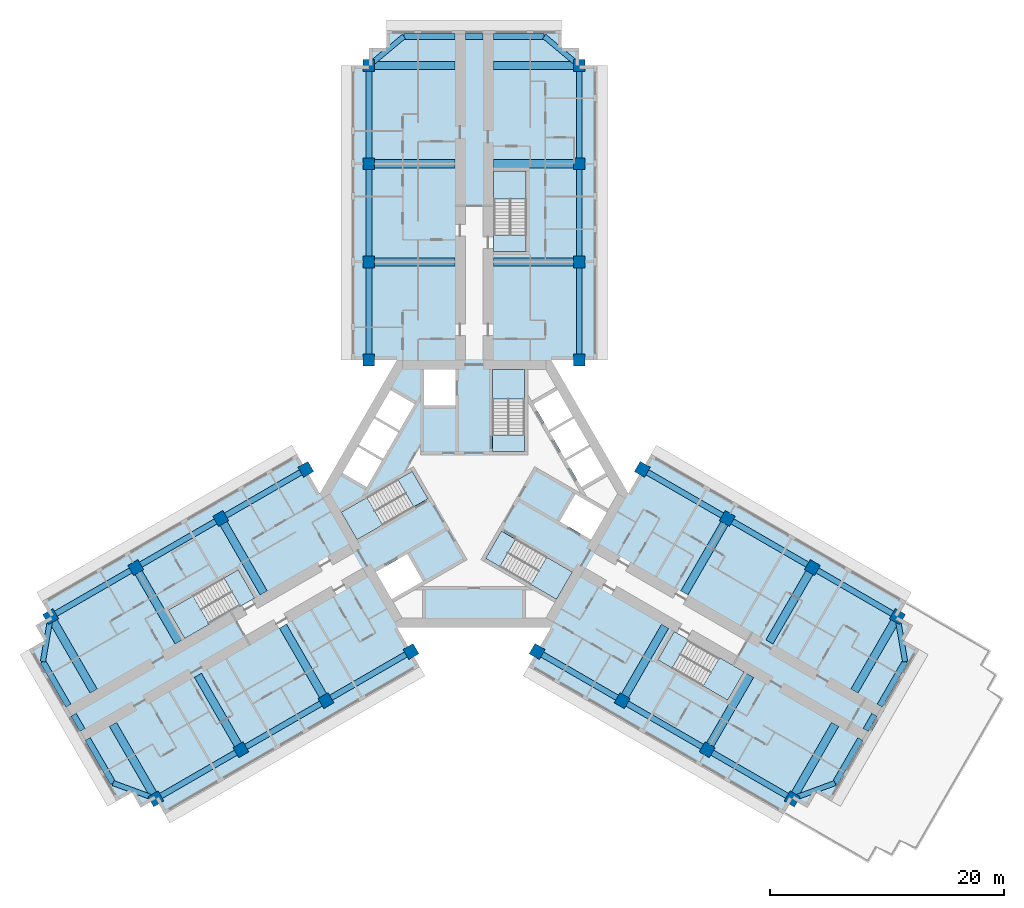
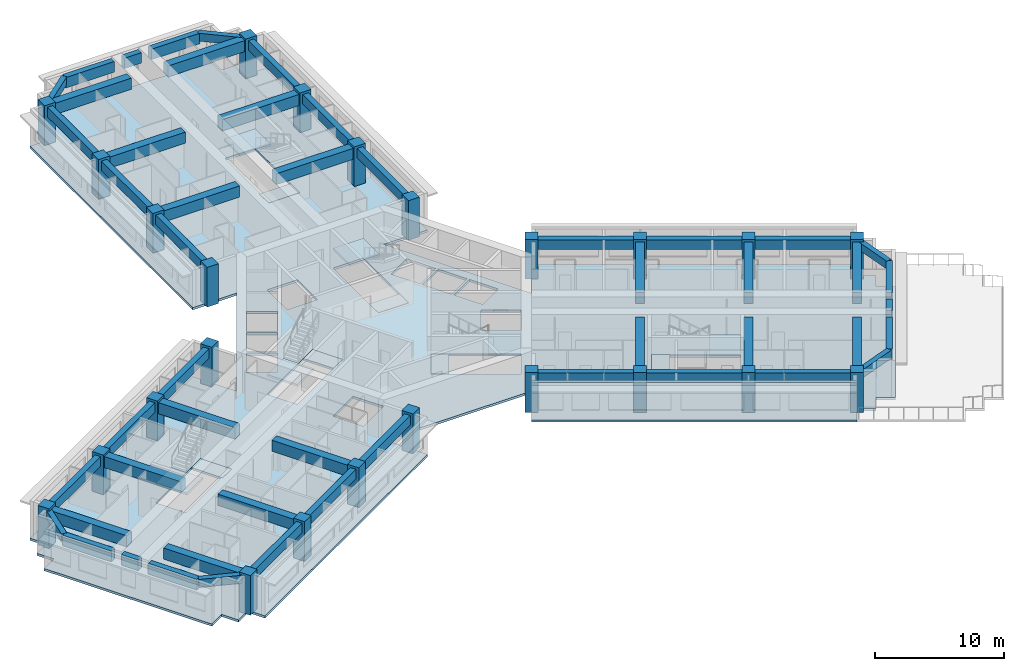
# One storey, part 1 of 14: 51 beams, 24 columns, 13 slabs, 6 elements without a shape of their own.
"""IFC4 building model written with IfcOpenShell, lengths in metres."""

import ifcopenshell
import ifcopenshell.guid

model = None  # the IFC model being written
_history = None  # IfcOwnerHistory: only IFC2X3 demands one
_inside = {}  # id of a spatial element -> (the spatial element, [elements in it])
_under = {}  # id of a project, library or spatial element -> (it, [spatial elements below it])
_declared = {}  # id of a project -> (the project, [libraries it declares])
_typed = {}  # id of a type object -> (the type object, [elements of that type])
_made_of = {}  # id of a material, layer set ... -> (it, [elements and type objects made of it])


def new_model(schema):
    """Start an empty IFC model of exactly this schema.

    Asked for "IFC4X3", IfcOpenShell would pick the latest addendum, in which some entities
    have other attributes; the version numbers below select the first issue.
    IFC2X3 requires an IfcOwnerHistory on every rooted entity: one is made here for all.
    """
    global model, _history
    if schema == "IFC4X3":
        model = ifcopenshell.file(schema_version=(4, 3, 0, 0))
    else:
        model = ifcopenshell.file(schema=schema)
    _inside.clear()
    _under.clear()
    _declared.clear()
    _typed.clear()
    _made_of.clear()
    _history = None
    if model.schema == "IFC2X3":
        org = make("IfcOrganization", Name="unknown")
        user = make(
            "IfcPersonAndOrganization",
            ThePerson=make("IfcPerson", FamilyName="unknown"),
            TheOrganization=org,
        )
        app = make(
            "IfcApplication",
            ApplicationDeveloper=org,
            Version="unknown",
            ApplicationFullName="unknown",
            ApplicationIdentifier="unknown",
        )
        _history = make(
            "IfcOwnerHistory",
            OwningUser=user,
            OwningApplication=app,
            ChangeAction="ADDED",
            CreationDate=0,
        )
    return model


def make(cls, **values):
    """One entity of the class cls with the attributes given. An attribute that is None is left unset."""
    return model.create_entity(
        cls, **{name: value for name, value in values.items() if value is not None}
    )


def rooted(cls, **values):
    """An entity with a GlobalId (a new one), such as an element, a storey or a relation."""
    return make(cls, GlobalId=ifcopenshell.guid.new(), OwnerHistory=_history, **values)


def si_unit(unit_type, name, prefix=None):
    """IfcSIUnit, for example si_unit("LENGTHUNIT", "METRE", prefix="MILLI")."""
    return make("IfcSIUnit", UnitType=unit_type, Prefix=prefix, Name=name)


def assignment(units):
    """IfcUnitAssignment: the units of a project."""
    return None if units is None else make("IfcUnitAssignment", Units=units)


def point(xyz):
    """IfcCartesianPoint."""
    return None if xyz is None else make("IfcCartesianPoint", Coordinates=xyz)


def direction(xyz):
    """IfcDirection."""
    return None if xyz is None else make("IfcDirection", DirectionRatios=xyz)


def frame(location, z_axis=None, x_axis=None):
    """IfcAxis2Placement3D, a coordinate frame: its origin and axes. An axis left out is left unset."""
    return make(
        "IfcAxis2Placement3D",
        Location=point(location),
        Axis=direction(z_axis),
        RefDirection=direction(x_axis),
    )


def frame_2d(location, x_axis=None):
    """IfcAxis2Placement2D, a coordinate frame in the plane: its origin and x axis."""
    return make(
        "IfcAxis2Placement2D", Location=point(location), RefDirection=direction(x_axis)
    )


def origin():
    """The frame at (0, 0, 0) with its axes left unset."""
    return frame((0.0, 0.0, 0.0))


def origin_2d():
    """The frame at (0, 0) in the plane with its x axis left unset."""
    return frame_2d((0.0, 0.0))


def place(relative_to, where):
    """IfcLocalPlacement: puts the frame where relative to a parent placement (None: the world)."""
    return make(
        "IfcLocalPlacement", PlacementRelTo=relative_to, RelativePlacement=where
    )


def context(
    kind, dimensions, precision=None, world=None, true_north=None, identifier=None
):
    """IfcGeometricRepresentationContext, for example the 3D "Model" context."""
    return make(
        "IfcGeometricRepresentationContext",
        ContextIdentifier=identifier,
        ContextType=kind,
        CoordinateSpaceDimension=dimensions,
        Precision=precision,
        WorldCoordinateSystem=world,
        TrueNorth=true_north,
    )


def subcontext(parent, identifier, kind, view, scale=None):
    """IfcGeometricRepresentationSubContext, for example "Body" below "Model"."""
    return make(
        "IfcGeometricRepresentationSubContext",
        ContextIdentifier=identifier,
        ContextType=kind,
        ParentContext=parent,
        TargetScale=scale,
        TargetView=view,
    )


def project(units=None, contexts=None):
    """IfcProject with its units and contexts."""
    return rooted(
        "IfcProject",
        Name="project",
        RepresentationContexts=contexts,
        UnitsInContext=assignment(units),
    )


def spatial(cls, under=None, at=None, **own):
    """A site, building, storey or space (cls), placed at a placement, below another one or the project."""
    s = rooted(cls, ObjectPlacement=at, **own)
    if under is not None:
        _under.setdefault(under.id(), (under, []))[1].append(s)
    return s


def polyline(points):
    """IfcPolyline through the points."""
    return make("IfcPolyline", Points=[point(p) for p in points])


def profile(cls, at=None, kind="AREA", **sizes):
    """A parametric profile (cls). Its sizes go by their IFC names, for example OverallWidth=200.0."""
    return make(cls, ProfileType=kind, Position=at, **sizes)


def rectangle(**sizes):
    """IfcRectangleProfileDef."""
    return profile("IfcRectangleProfileDef", **sizes)


def outline(outer, holes=None, kind="AREA"):
    """IfcArbitraryClosedProfileDef: a profile drawn as a closed curve; with holes, ...WithVoids."""
    if holes is None:
        return make("IfcArbitraryClosedProfileDef", ProfileType=kind, OuterCurve=outer)
    return make(
        "IfcArbitraryProfileDefWithVoids",
        ProfileType=kind,
        OuterCurve=outer,
        InnerCurves=holes,
    )


def extrude(swept, where, along, depth):
    """IfcExtrudedAreaSolid: the profile swept, set in the frame where, extruded along a direction by depth."""
    return make(
        "IfcExtrudedAreaSolid",
        SweptArea=swept,
        Position=where,
        ExtrudedDirection=direction(along),
        Depth=depth,
    )


def shape(context_of_items, identifier, shape_type, items):
    """IfcShapeRepresentation: the items that make up one representation, for example the "Body"."""
    return make(
        "IfcShapeRepresentation",
        ContextOfItems=context_of_items,
        RepresentationIdentifier=identifier,
        RepresentationType=shape_type,
        Items=items,
    )


def material(Name=None, Category=None):
    """IfcMaterial."""
    return make("IfcMaterial", Name=Name, Category=Category)


def layer(
    of_material, thickness, ventilated=None, Name=None, Category=None, Priority=None
):
    """IfcMaterialLayer: one layer of a wall or slab, of a material (None: an air gap)."""
    return make(
        "IfcMaterialLayer",
        Material=of_material,
        LayerThickness=thickness,
        IsVentilated=ventilated,
        Name=Name,
        Category=Category,
        Priority=Priority,
    )


def layer_set(layers, Name=None):
    """IfcMaterialLayerSet."""
    return make("IfcMaterialLayerSet", MaterialLayers=layers, LayerSetName=Name)


def material_profile(
    of_material, cross_section, Name=None, Category=None, Priority=None
):
    """IfcMaterialProfile: a cross section and its material."""
    return make(
        "IfcMaterialProfile",
        Name=Name,
        Material=of_material,
        Profile=cross_section,
        Priority=Priority,
        Category=Category,
    )


def profile_set(profiles, Name=None, composite=None):
    """IfcMaterialProfileSet."""
    return make(
        "IfcMaterialProfileSet",
        Name=Name,
        MaterialProfiles=profiles,
        CompositeProfile=composite,
    )


def made_of(thing, what):
    """Note that an element or type object is made of a material, layer set ...; save() writes the relation."""
    if what is not None:
        _made_of.setdefault(what.id(), (what, []))[1].append(thing)
    return thing


def type_object(cls, material=None, **own):
    """A type object (cls), such as IfcWallType, which elements share."""
    return made_of(rooted(cls, **own), material)


def element(
    cls,
    number,
    at=None,
    inside=None,
    cuts=None,
    type_object=None,
    material=None,
    context=None,
    identifier="Body",
    shape_type=None,
    held_by="IfcProductDefinitionShape",
    body=None,
    shapes=None,
    **own,
):
    """One element of the class cls, such as IfcWall. Its Tag is "e" and its number.

    at: its placement. inside: the storey or other place that contains it. cuts: it is an
    opening in that element (IfcRelVoidsElement). A single representation is given by context,
    identifier, shape_type and body (its items); several are given by shapes. held_by: the class
    of the entity that holds the representations. save() writes the other relations.
    """
    e = rooted(cls, Tag="e%d" % number, ObjectPlacement=at, **own)
    if body is not None:
        shapes = [shape(context, identifier, shape_type, body)]
    if shapes is not None:
        e.Representation = make(held_by, Representations=shapes)
    if inside is not None:
        _inside.setdefault(inside.id(), (inside, []))[1].append(e)
    if cuts is not None:
        rooted(
            "IfcRelVoidsElement", RelatingBuildingElement=cuts, RelatedOpeningElement=e
        )
    if type_object is not None:
        _typed.setdefault(type_object.id(), (type_object, []))[1].append(e)
    return made_of(e, material)


def aggregate(whole, parts):
    """IfcRelAggregates: a whole, such as a stair, and the parts it consists of."""
    return rooted("IfcRelAggregates", RelatingObject=whole, RelatedObjects=parts)


def save(model, path):
    """Write the relations noted so far, then the file.

    IfcRelAggregates (storeys below a building ...), IfcRelContainedInSpatialStructure (elements
    in a storey), IfcRelDefinesByType, IfcRelAssociatesMaterial and IfcRelDeclares: one each for
    every whole, place, type object, material and project.
    """
    for whole, parts in _under.values():
        aggregate(whole, parts)
    for where, things in _inside.values():
        rooted(
            "IfcRelContainedInSpatialStructure",
            RelatedElements=things,
            RelatingStructure=where,
        )
    for kind, things in _typed.values():
        rooted("IfcRelDefinesByType", RelatedObjects=things, RelatingType=kind)
    for what, things in _made_of.values():
        rooted("IfcRelAssociatesMaterial", RelatedObjects=things, RelatingMaterial=what)
    for by, libraries in _declared.values():
        rooted("IfcRelDeclares", RelatingContext=by, RelatedDefinitions=libraries)
    model.write(path)


model = new_model("IFC4")

# Units and contexts
model_context = context("Model", 3, precision=1e-05, world=origin(), true_north=direction((0.0, 1.0)))
body_context = subcontext(model_context, "Body", "Model", "MODEL_VIEW")
ifc_project = project(units=[si_unit("LENGTHUNIT", "METRE"), si_unit("AREAUNIT", "SQUARE_METRE"), si_unit("VOLUMEUNIT", "CUBIC_METRE"), si_unit("PLANEANGLEUNIT", "RADIAN"), si_unit("MASSUNIT", "GRAM", prefix="KILO")], contexts=[model_context])

# Site, building, storey
site_placement = place(None, origin())
site = spatial("IfcSite", under=ifc_project, at=site_placement, CompositionType="ELEMENT")
building_placement = place(site_placement, origin())
building = spatial("IfcBuilding", under=site, at=building_placement, Name="Impinga Residences", CompositionType="ELEMENT")
storey_placement = place(building_placement, frame((0.0, 0.0, 158.5)))
storey = spatial("IfcBuildingStorey", under=building, at=storey_placement, Name="L39", CompositionType="ELEMENT", Elevation=158.5)

# Columns
ifc_material_1 = material(Name="Concrete C60/75", Category="concrete")
ifc_material_profile_1 = material_profile(ifc_material_1, rectangle(XDim=1.0, YDim=1.0, at=origin_2d()), Name="RC 1000x1000")
ifc_profile_set_1 = profile_set([ifc_material_profile_1], Name="Concrete C60/75")
column_type = type_object("IfcColumnType", Name="C3 1000x1000 column", PredefinedType="COLUMN", material=ifc_profile_set_1)
for number, where, z_axis, x_axis, name in (
    (1, (-9.0, 11.431640625, 0.0), (0.0, 0.0, 1.0), (1.0, 0.0, 0.0), "Column C3 N1/NA L39"),
    (2, (9.0, 11.431640625, 0.0), (0.0, 0.0, 1.0), (1.0, 0.0, 0.0), "Column C3 N1/NF L39"),
    (3, (-9.0, 19.83154296875, 0.0), (0.0, 0.0, 1.0), (1.0, 0.0, 0.0), "Column C3 N2/NA L39"),
    (4, (9.0, 19.83154296875, 0.0), (0.0, 0.0, 1.0), (1.0, 0.0, 0.0), "Column C3 N2/NF L39"),
    (5, (-9.0, 28.2314453125, 0.0), (0.0, 0.0, 1.0), (1.0, 0.0, 0.0), "Column C3 N3/NA L39"),
    (6, (9.0, 28.2314453125, 0.0), (0.0, 0.0, 1.0), (1.0, 0.0, 0.0), "Column C3 N3/NF L39"),
    (7, (-9.0, 36.631591796875, 0.0), (0.0, 0.0, 1.0), (1.0, 0.0, 0.0), "Column C3 N4/NA L39"),
    (8, (9.0, 36.631591796875, 0.0), (0.0, 0.0, 1.0), (1.0, 0.0, 0.0), "Column C3 N4/NF L39"),
    (9, (-5.39990234375, -13.510009765625, 0.0), (0.0, 0.0, 1.0), (-0.5, 0.866025403784, 0.0), "Column C3 W1/WA L39"),
    (10, (-14.39990234375, 2.078369140625, 0.0), (0.0, 0.0, 1.0), (-0.5, 0.866025403784, 0.0), "Column C3 W1/WF L39"),
    (11, (-12.674560546875, -17.7099609375, 0.0), (0.0, 0.0, 1.0), (-0.5, 0.866025403784, 0.0), "Column C3 W2/WA L39"),
    (12, (-21.674560546875, -2.12158203125, 0.0), (0.0, 0.0, 1.0), (-0.5, 0.866025403784, 0.0), "Column C3 W2/WF L39"),
    (13, (-19.94921875, -21.909912109375, 0.0), (0.0, 0.0, 1.0), (-0.5, 0.866025403784, 0.0), "Column C3 W3/WA L39"),
    (14, (-28.94921875, -6.321533203125, 0.0), (0.0, 0.0, 1.0), (-0.5, 0.866025403784, 0.0), "Column C3 W3/WF L39"),
    (15, (-27.223876953125, -26.110107421875, 0.0), (0.0, 0.0, 1.0), (-0.5, 0.866025403784, 0.0), "Column C3 W4/WA L39"),
    (16, (-36.223876953125, -10.521484375, 0.0), (0.0, 0.0, 1.0), (-0.5, 0.866025403784, 0.0), "Column C3 W4/WF L39"),
    (17, (14.39990234375, 2.078369140625, 0.0), (0.0, 0.0, 1.0), (-0.5, -0.866025403784, 0.0), "Column C3 E1/EA L39"),
    (18, (5.39990234375, -13.510009765625, 0.0), (0.0, 0.0, 1.0), (-0.5, -0.866025403784, 0.0), "Column C3 E1/EF L39"),
    (19, (21.674560546875, -2.12158203125, 0.0), (0.0, 0.0, 1.0), (-0.5, -0.866025403784, 0.0), "Column C3 E2/EA L39"),
    (20, (12.674560546875, -17.7099609375, 0.0), (0.0, 0.0, 1.0), (-0.5, -0.866025403784, 0.0), "Column C3 E2/EF L39"),
    (21, (28.94921875, -6.321533203125, 0.0), (0.0, 0.0, 1.0), (-0.5, -0.866025403784, 0.0), "Column C3 E3/EA L39"),
    (22, (19.94921875, -21.909912109375, 0.0), (0.0, 0.0, 1.0), (-0.5, -0.866025403784, 0.0), "Column C3 E3/EF L39"),
    (23, (36.223876953125, -10.521484375, 0.0), (0.0, 0.0, 1.0), (-0.5, -0.866025403784, 0.0), "Column C3 E4/EA L39"),
    (24, (27.223876953125, -26.110107421875, 0.0), (0.0, 0.0, 1.0), (-0.5, -0.866025403784, 0.0), "Column C3 E4/EF L39"),
):
    element("IfcColumn", number, at=place(storey_placement, frame(where, z_axis=z_axis, x_axis=x_axis)), inside=storey, type_object=column_type, Name=name, PredefinedType="COLUMN", context=body_context, shape_type="SweptSolid", body=[
        extrude(rectangle(XDim=1.0, YDim=1.0, at=origin_2d()), origin(), (0.0, 0.0, 1.0), 3.75),
    ])

# Beams
ifc_material_profile_2 = material_profile(ifc_material_1, rectangle(XDim=0.449951171875, YDim=0.75, at=origin_2d()), Name="RC 450x750")
ifc_profile_set_2 = profile_set([ifc_material_profile_2], Name="Concrete C60/75")
beam_type_1 = type_object("IfcBeamType", Name="CB1 450x750 wing end cantilever beam", PredefinedType="BEAM", material=ifc_profile_set_2)
for number, where, z_axis, x_axis, name in (
    (25, (-9.0, 36.631591796875, 3.155029296875), (0.768221279597, 0.640184399664, 0.0), (-0.640184399664, 0.768221279597, 0.0), "Beam CB1 NB N4-NX level L40"),
    (26, (9.0, 36.631591796875, 3.155029296875), (-0.768221279597, 0.640184399664, 0.0), (-0.640184399664, -0.768221279597, 0.0), "Beam CB1 NE N4-NX level L40"),
    (27, (-27.223876953125, -26.110107421875, 3.155029296875), (-0.938520178725, 0.345224382289, 0.0), (-0.345224382289, -0.938520178725, 0.0), "Beam CB1 WB W4-WX level L40"),
):
    element("IfcBeam", number, at=place(storey_placement, frame(where, z_axis=z_axis, x_axis=x_axis)), inside=storey, type_object=beam_type_1, Name=name, PredefinedType="BEAM", context=body_context, shape_type="SweptSolid", body=[
        extrude(rectangle(XDim=0.449951171875, YDim=0.75, at=origin_2d()), origin(), (0.0, 0.0, 1.0), 3.905029296875),
    ])
for number, where, z_axis, x_axis, name in (
    (28, (-36.223876953125, -10.521484375, 3.155029296875), (-0.170296298948, -0.985392901621, 0.0), (0.985392901621, -0.170296298948, 0.0), "Beam CB1 WE W4-WX level L40"),
    (29, (36.223876953125, -10.521484375, 3.155029296875), (0.170296298948, -0.985392901621, 0.0), (0.985392901621, 0.170296298948, 0.0), "Beam CB1 EB E4-EX level L40"),
):
    element("IfcBeam", number, at=place(storey_placement, frame(where, z_axis=z_axis, x_axis=x_axis)), inside=storey, type_object=beam_type_1, Name=name, PredefinedType="BEAM", context=body_context, shape_type="SweptSolid", body=[
        extrude(rectangle(XDim=0.449951171875, YDim=0.75, at=origin_2d()), origin(), (0.0, 0.0, 1.0), 3.9052734375),
    ])
beam_1_placement = place(storey_placement, frame((27.223876953125, -26.110107421875, 3.155029296875), z_axis=(0.938520178725, 0.345224382289, 0.0), x_axis=(-0.345224382289, 0.938520178725, 0.0)))
element("IfcBeam", 30, at=beam_1_placement, inside=storey, type_object=beam_type_1, Name="Beam CB1 EE E4-EX level L40", PredefinedType="BEAM", context=body_context, shape_type="SweptSolid", body=[
    extrude(rectangle(XDim=0.449951171875, YDim=0.75, at=origin_2d()), origin(), (0.0, 0.0, 1.0), 3.905029296875),
])
ifc_material_profile_3 = material_profile(ifc_material_1, rectangle(XDim=0.699951171875, YDim=1.050048828125, at=origin_2d()), Name="RC 700x1050")
ifc_profile_set_3 = profile_set([ifc_material_profile_3], Name="Concrete C60/75")
beam_type_2 = type_object("IfcBeamType", Name="CG1 700x1050 cross girder on a wing bay line", PredefinedType="BEAM", material=ifc_profile_set_3)
for number, where, z_axis, x_axis, name in (
    (31, (-1.64990234375, 19.83154296875, 3.0048828125), (-1.0, 0.0, 0.0), (0.0, -1.0, 0.0), "Beam CG1 N2 NC/NA level L40"),
    (32, (-1.64990234375, 28.2314453125, 3.0048828125), (-1.0, 0.0, 0.0), (0.0, -1.0, 0.0), "Beam CG1 N3 NC/NA level L40"),
    (33, (-1.64990234375, 36.631591796875, 3.0048828125), (-1.0, 0.0, 0.0), (0.0, -1.0, 0.0), "Beam CG1 N4 NC/NA level L40"),
    (34, (1.64990234375, 19.83154296875, 3.0048828125), (1.0, 0.0, 0.0), (0.0, 1.0, 0.0), "Beam CG1 N2 NC/NF level L40"),
    (35, (1.64990234375, 28.2314453125, 3.0048828125), (1.0, 0.0, 0.0), (0.0, 1.0, 0.0), "Beam CG1 N3 NC/NF level L40"),
    (36, (1.64990234375, 36.631591796875, 3.0048828125), (1.0, 0.0, 0.0), (0.0, 1.0, 0.0), "Beam CG1 N4 NC/NF level L40"),
    (37, (-16.349609375, -11.3447265625, 3.0048828125), (0.500008066151, -0.86602074674, 0.0), (0.86602074674, 0.500008066151, 0.0), "Beam CG1 W2 WC/WA level L40"),
    (38, (-23.624267578125, -15.544677734375, 3.0048828125), (0.500008066151, -0.86602074674, 0.0), (0.86602074674, 0.500008066151, 0.0), "Beam CG1 W3 WC/WA level L40"),
    (39, (-30.89892578125, -19.74462890625, 3.0048828125), (0.499993683172, -0.866029050776, 0.0), (0.866029050776, 0.499993683172, 0.0), "Beam CG1 W4 WC/WA level L40"),
    (40, (-17.99951171875, -8.48681640625, 3.0048828125), (-0.500008066151, 0.86602074674, 0.0), (-0.86602074674, -0.500008066151, 0.0), "Beam CG1 W2 WC/WF level L40"),
    (41, (-25.274169921875, -12.686767578125, 3.0048828125), (-0.500008066151, 0.86602074674, 0.0), (-0.86602074674, -0.500008066151, 0.0), "Beam CG1 W3 WC/WF level L40"),
    (42, (-32.548828125, -16.88671875, 3.0048828125), (-0.500008066151, 0.86602074674, 0.0), (-0.86602074674, -0.500008066151, 0.0), "Beam CG1 W4 WC/WF level L40"),
    (43, (17.99951171875, -8.48681640625, 3.0048828125), (0.500008066151, 0.86602074674, 0.0), (-0.86602074674, 0.500008066151, 0.0), "Beam CG1 E2 EC/EA level L40"),
    (44, (25.274169921875, -12.686767578125, 3.0048828125), (0.500008066151, 0.86602074674, 0.0), (-0.86602074674, 0.500008066151, 0.0), "Beam CG1 E3 EC/EA level L40"),
    (45, (32.548828125, -16.88671875, 3.0048828125), (0.500008066151, 0.86602074674, 0.0), (-0.86602074674, 0.500008066151, 0.0), "Beam CG1 E4 EC/EA level L40"),
    (46, (16.349609375, -11.3447265625, 3.0048828125), (-0.500008066151, -0.86602074674, 0.0), (0.86602074674, -0.500008066151, 0.0), "Beam CG1 E2 EC/EF level L40"),
    (47, (23.624267578125, -15.544677734375, 3.0048828125), (-0.500008066151, -0.86602074674, 0.0), (0.86602074674, -0.500008066151, 0.0), "Beam CG1 E3 EC/EF level L40"),
    (48, (30.89892578125, -19.74462890625, 3.0048828125), (-0.499993683172, -0.866029050776, 0.0), (0.866029050776, -0.499993683172, 0.0), "Beam CG1 E4 EC/EF level L40"),
):
    element("IfcBeam", number, at=place(storey_placement, frame(where, z_axis=z_axis, x_axis=x_axis)), inside=storey, type_object=beam_type_2, Name=name, PredefinedType="BEAM", context=body_context, shape_type="SweptSolid", body=[
        extrude(rectangle(XDim=0.699951171875, YDim=1.050048828125, at=origin_2d()), origin(), (0.0, 0.0, 1.0), 7.35009765625),
    ])
ifc_material_profile_4 = material_profile(ifc_material_1, rectangle(XDim=0.5, YDim=1.0, at=origin_2d()), Name="RC 500x1000")
ifc_profile_set_4 = profile_set([ifc_material_profile_4], Name="Concrete C60/75")
beam_type_3 = type_object("IfcBeamType", Name="EB1 500x1000 wing end beam", PredefinedType="BEAM", material=ifc_profile_set_4)
beam_2_placement = place(storey_placement, frame((-6.0, 39.131591796875, 3.030029296875), z_axis=(1.0, 0.0, 0.0), x_axis=(0.0, 1.0, 0.0)))
element("IfcBeam", 49, at=beam_2_placement, inside=storey, type_object=beam_type_3, Name="Beam EB1 NX3 level L40", PredefinedType="BEAM", context=body_context, shape_type="SweptSolid", body=[
    extrude(rectangle(XDim=0.5, YDim=1.0, at=origin_2d()), origin(), (0.0, 0.0, 1.0), 4.35009765625),
])
beam_3_placement = place(storey_placement, frame((-0.75, 39.131591796875, 3.030029296875), z_axis=(1.0, 0.0, 0.0), x_axis=(0.0, 1.0, 0.0)))
element("IfcBeam", 50, at=beam_3_placement, inside=storey, type_object=beam_type_3, Name="Beam EB1 NX3 level L40", PredefinedType="BEAM", context=body_context, shape_type="SweptSolid", body=[
    extrude(rectangle(XDim=0.5, YDim=1.0, at=origin_2d()), origin(), (0.0, 0.0, 1.0), 1.5),
])
for number, where, z_axis, x_axis, name in (
    (51, (1.64990234375, 39.131591796875, 3.030029296875), (1.0, 0.0, 0.0), (0.0, 1.0, 0.0), "Beam EB1 NX3 level L40"),
    (52, (-30.888916015625, -24.761962890625, 3.030029296875), (-0.499996127374, 0.866027639635, 0.0), (-0.866027639635, -0.499996127374, 0.0), "Beam EB1 WX3 level L40"),
):
    element("IfcBeam", number, at=place(storey_placement, frame(where, z_axis=z_axis, x_axis=x_axis)), inside=storey, type_object=beam_type_3, Name=name, PredefinedType="BEAM", context=body_context, shape_type="SweptSolid", body=[
        extrude(rectangle(XDim=0.5, YDim=1.0, at=origin_2d()), origin(), (0.0, 0.0, 1.0), 4.35009765625),
    ])
beam_4_placement = place(storey_placement, frame((-33.513916015625, -20.21533203125, 3.030029296875), z_axis=(-0.499990139034, 0.866031096941, 0.0), x_axis=(-0.866031096941, -0.499990139034, 0.0)))
element("IfcBeam", 53, at=beam_4_placement, inside=storey, type_object=beam_type_3, Name="Beam EB1 WX3 level L40", PredefinedType="BEAM", context=body_context, shape_type="SweptSolid", body=[
    extrude(rectangle(XDim=0.5, YDim=1.0, at=origin_2d()), origin(), (0.0, 0.0, 1.0), 1.5),
])
for number, where, z_axis, x_axis, name in (
    (54, (-34.7138671875, -18.13671875, 3.030029296875), (-0.500020430026, 0.866013608182, 0.0), (-0.866013608182, -0.500020430026, 0.0), "Beam EB1 WX3 level L40"),
    (55, (36.888916015625, -14.36962890625, 3.030029296875), (-0.500020430026, -0.866013608182, 0.0), (0.866013608182, -0.500020430026, 0.0), "Beam EB1 EX3 level L40"),
):
    element("IfcBeam", number, at=place(storey_placement, frame(where, z_axis=z_axis, x_axis=x_axis)), inside=storey, type_object=beam_type_3, Name=name, PredefinedType="BEAM", context=body_context, shape_type="SweptSolid", body=[
        extrude(rectangle(XDim=0.5, YDim=1.0, at=origin_2d()), origin(), (0.0, 0.0, 1.0), 4.349853515625),
    ])
beam_5_placement = place(storey_placement, frame((34.263916015625, -18.916259765625, 3.030029296875), z_axis=(-0.499990139034, -0.866031096941, 0.0), x_axis=(0.866031096941, -0.499990139034, 0.0)))
element("IfcBeam", 56, at=beam_5_placement, inside=storey, type_object=beam_type_3, Name="Beam EB1 EX3 level L40", PredefinedType="BEAM", context=body_context, shape_type="SweptSolid", body=[
    extrude(rectangle(XDim=0.5, YDim=1.0, at=origin_2d()), origin(), (0.0, 0.0, 1.0), 1.5),
])
beam_6_placement = place(storey_placement, frame((33.06396484375, -20.99462890625, 3.030029296875), z_axis=(-0.499996127374, -0.866027639635, 0.0), x_axis=(0.866027639635, -0.499996127374, 0.0)))
element("IfcBeam", 57, at=beam_6_placement, inside=storey, type_object=beam_type_3, Name="Beam EB1 EX3 level L40", PredefinedType="BEAM", context=body_context, shape_type="SweptSolid", body=[
    extrude(rectangle(XDim=0.5, YDim=1.0, at=origin_2d()), origin(), (0.0, 0.0, 1.0), 4.35009765625),
])
ifc_material_profile_5 = material_profile(ifc_material_1, rectangle(XDim=0.5, YDim=0.89990234375, at=origin_2d()), Name="RC 500x900")
ifc_profile_set_5 = profile_set([ifc_material_profile_5], Name="Concrete C60/75")
beam_type_4 = type_object("IfcBeamType", Name="SB1 500x900 perimeter spandrel beam", PredefinedType="SPANDREL", material=ifc_profile_set_5)
for number, where, z_axis, x_axis, name in (
    (58, (-9.0, 11.431640625, 3.080078125), (0.0, 1.0, 0.0), (-1.0, 0.0, 0.0), "Beam SB1 NA N1-N2 level L40"),
    (59, (-9.0, 19.83154296875, 3.080078125), (0.0, 1.0, 0.0), (-1.0, 0.0, 0.0), "Beam SB1 NA N2-N3 level L40"),
):
    element("IfcBeam", number, at=place(storey_placement, frame(where, z_axis=z_axis, x_axis=x_axis)), inside=storey, type_object=beam_type_4, Name=name, PredefinedType="SPANDREL", context=body_context, shape_type="SweptSolid", body=[
        extrude(rectangle(XDim=0.5, YDim=0.89990234375, at=origin_2d()), origin(), (0.0, 0.0, 1.0), 8.39990234375),
    ])
beam_7_placement = place(storey_placement, frame((-9.0, 28.2314453125, 3.080078125), z_axis=(0.0, 1.0, 0.0), x_axis=(-1.0, 0.0, 0.0)))
element("IfcBeam", 60, at=beam_7_placement, inside=storey, type_object=beam_type_4, Name="Beam SB1 NA N3-N4 level L40", PredefinedType="SPANDREL", context=body_context, shape_type="SweptSolid", body=[
    extrude(rectangle(XDim=0.5, YDim=0.89990234375, at=origin_2d()), origin(), (0.0, 0.0, 1.0), 8.400146484375),
])
for number, where, z_axis, x_axis, name in (
    (61, (9.0, 11.431640625, 3.080078125), (0.0, 1.0, 0.0), (-1.0, 0.0, 0.0), "Beam SB1 NF N1-N2 level L40"),
    (62, (9.0, 19.83154296875, 3.080078125), (0.0, 1.0, 0.0), (-1.0, 0.0, 0.0), "Beam SB1 NF N2-N3 level L40"),
):
    element("IfcBeam", number, at=place(storey_placement, frame(where, z_axis=z_axis, x_axis=x_axis)), inside=storey, type_object=beam_type_4, Name=name, PredefinedType="SPANDREL", context=body_context, shape_type="SweptSolid", body=[
        extrude(rectangle(XDim=0.5, YDim=0.89990234375, at=origin_2d()), origin(), (0.0, 0.0, 1.0), 8.39990234375),
    ])
beam_8_placement = place(storey_placement, frame((9.0, 28.2314453125, 3.080078125), z_axis=(0.0, 1.0, 0.0), x_axis=(-1.0, 0.0, 0.0)))
element("IfcBeam", 63, at=beam_8_placement, inside=storey, type_object=beam_type_4, Name="Beam SB1 NF N3-N4 level L40", PredefinedType="SPANDREL", context=body_context, shape_type="SweptSolid", body=[
    extrude(rectangle(XDim=0.5, YDim=0.89990234375, at=origin_2d()), origin(), (0.0, 0.0, 1.0), 8.400146484375),
])
for number, where, z_axis, x_axis, name in (
    (64, (-5.39990234375, -13.510009765625, 3.080078125), (-0.86602925447, -0.499993330357, 0.0), (0.499993330357, -0.86602925447, 0.0), "Beam SB1 WA W1-W2 level L40"),
    (65, (-12.674560546875, -17.7099609375, 3.080078125), (-0.86602925447, -0.499993330357, 0.0), (0.499993330357, -0.86602925447, 0.0), "Beam SB1 WA W2-W3 level L40"),
):
    element("IfcBeam", number, at=place(storey_placement, frame(where, z_axis=z_axis, x_axis=x_axis)), inside=storey, type_object=beam_type_4, Name=name, PredefinedType="SPANDREL", context=body_context, shape_type="SweptSolid", body=[
        extrude(rectangle(XDim=0.5, YDim=0.89990234375, at=origin_2d()), origin(), (0.0, 0.0, 1.0), 8.39990234375),
    ])
beam_9_placement = place(storey_placement, frame((-19.94921875, -21.909912109375, 3.080078125), z_axis=(-0.866016669275, -0.500015128309, 0.0), x_axis=(0.500015128309, -0.866016669275, 0.0)))
element("IfcBeam", 66, at=beam_9_placement, inside=storey, type_object=beam_type_4, Name="Beam SB1 WA W3-W4 level L40", PredefinedType="SPANDREL", context=body_context, shape_type="SweptSolid", body=[
    extrude(rectangle(XDim=0.5, YDim=0.89990234375, at=origin_2d()), origin(), (0.0, 0.0, 1.0), 8.400146484375),
])
for number, where, z_axis, x_axis, name in (
    (67, (-14.39990234375, 2.078369140625, 3.080078125), (-0.86602925447, -0.499993330357, 0.0), (0.499993330357, -0.86602925447, 0.0), "Beam SB1 WF W1-W2 level L40"),
    (68, (-21.674560546875, -2.12158203125, 3.080078125), (-0.86602925447, -0.499993330357, 0.0), (0.499993330357, -0.86602925447, 0.0), "Beam SB1 WF W2-W3 level L40"),
    (69, (-28.94921875, -6.321533203125, 3.080078125), (-0.86602925447, -0.499993330357, 0.0), (0.499993330357, -0.86602925447, 0.0), "Beam SB1 WF W3-W4 level L40"),
    (70, (14.39990234375, 2.078369140625, 3.080078125), (0.86602925447, -0.499993330357, 0.0), (0.499993330357, 0.86602925447, 0.0), "Beam SB1 EA E1-E2 level L40"),
    (71, (21.674560546875, -2.12158203125, 3.080078125), (0.86602925447, -0.499993330357, 0.0), (0.499993330357, 0.86602925447, 0.0), "Beam SB1 EA E2-E3 level L40"),
    (72, (28.94921875, -6.321533203125, 3.080078125), (0.86602925447, -0.499993330357, 0.0), (0.499993330357, 0.86602925447, 0.0), "Beam SB1 EA E3-E4 level L40"),
    (73, (5.39990234375, -13.510009765625, 3.080078125), (0.86602925447, -0.499993330357, 0.0), (0.499993330357, 0.86602925447, 0.0), "Beam SB1 EF E1-E2 level L40"),
    (74, (12.674560546875, -17.7099609375, 3.080078125), (0.86602925447, -0.499993330357, 0.0), (0.499993330357, 0.86602925447, 0.0), "Beam SB1 EF E2-E3 level L40"),
):
    element("IfcBeam", number, at=place(storey_placement, frame(where, z_axis=z_axis, x_axis=x_axis)), inside=storey, type_object=beam_type_4, Name=name, PredefinedType="SPANDREL", context=body_context, shape_type="SweptSolid", body=[
        extrude(rectangle(XDim=0.5, YDim=0.89990234375, at=origin_2d()), origin(), (0.0, 0.0, 1.0), 8.39990234375),
    ])
beam_10_placement = place(storey_placement, frame((19.94921875, -21.909912109375, 3.080078125), z_axis=(0.866016669275, -0.500015128309, 0.0), x_axis=(0.500015128309, 0.866016669275, 0.0)))
element("IfcBeam", 75, at=beam_10_placement, inside=storey, type_object=beam_type_4, Name="Beam SB1 EF E3-E4 level L40", PredefinedType="SPANDREL", context=body_context, shape_type="SweptSolid", body=[
    extrude(rectangle(XDim=0.5, YDim=0.89990234375, at=origin_2d()), origin(), (0.0, 0.0, 1.0), 8.400146484375),
])

# Slab
ifc_layer_1 = layer(ifc_material_1, 0.219970703125)
ifc_layer_set_1 = layer_set([ifc_layer_1], Name="Concrete C60/75")
slab_type_1 = type_object("IfcSlabType", Name="FS1 tower floor slab 220", PredefinedType="FLOOR", material=ifc_layer_set_1)
slab_1_placement = place(storey_placement, frame((0.0, 0.0, -0.219970703125)))
element("IfcSlab", 76, at=slab_1_placement, inside=storey, type_object=slab_type_1, Name="Floor slab FS1 L39", PredefinedType="FLOOR", context=body_context, shape_type="SweptSolid", body=[
    extrude(outline(polyline([(-27.223876953125, -26.110107421875), (-28.52294921875, -26.860107421875), (-29.27294921875, -25.56103515625), (-30.572021484375, -26.31103515625), (-38.072021484375, -13.320556640625), (-36.77294921875, -12.570556640625), (-37.52294921875, -11.271484375), (-36.223876953125, -10.521484375), (-36.973876953125, -9.222412109375), (-15.14990234375, 3.37744140625), (-13.199951171875, 0.0), (-6.60009765625, 11.431640625), (-10.5, 11.431640625), (-10.5, 36.631591796875), (-9.0, 36.631591796875), (-9.0, 38.131591796875), (-7.5, 38.131591796875), (-7.5, 39.631591796875), (7.5, 39.631591796875), (7.5, 38.131591796875), (9.0, 38.131591796875), (9.0, 36.631591796875), (10.5, 36.631591796875), (10.5, 11.431640625), (6.60009765625, 11.431640625), (13.199951171875, 0.0), (15.14990234375, 3.37744140625), (36.973876953125, -9.222412109375), (36.223876953125, -10.521484375), (37.52294921875, -11.271484375), (36.77294921875, -12.570556640625), (38.072021484375, -13.320556640625), (30.572021484375, -26.31103515625), (29.27294921875, -25.56103515625), (28.52294921875, -26.860107421875), (27.223876953125, -26.110107421875), (26.473876953125, -27.408935546875), (4.64990234375, -14.80908203125), (9.900146484375, -5.7158203125), (6.60009765625, -11.431640625), (-6.60009765625, -11.431640625), (-9.900146484375, -5.7158203125), (-4.64990234375, -14.80908203125), (-26.473876953125, -27.408935546875), (-27.223876953125, -26.110107421875)]), holes=[polyline([(-18.779052734375, -8.936767578125), (-18.8291015625, -8.850341796875), (-18.8291015625, -8.850341796875), (-20.178955078125, -6.511962890625), (-21.391357421875, -7.2119140625), (-21.391357421875, -7.2119140625), (-26.154541015625, -9.9619140625), (-24.8046875, -12.30029296875), (-20.04150390625, -9.55029296875), (-19.991455078125, -9.63671875), (-18.779052734375, -8.936767578125)]), polyline([(-4.37109375, -7.489013671875), (-5.72119140625, -5.150634765625), (-8.4072265625, -6.701416015625), (-7.05712890625, -9.039794921875), (-4.37109375, -7.489013671875)]), polyline([(-3.943603515625, -0.429443359375), (-5.293701171875, 1.908935546875), (-11.357177734375, -1.591796875), (-10.007080078125, -3.93017578125), (-3.943603515625, -0.429443359375)]), polyline([(-7.878662109375, 2.816650390625), (-9.957275390625, 4.016845703125), (-11.257080078125, 1.76513671875), (-9.1787109375, 0.56494140625), (-7.878662109375, 2.816650390625)]), polyline([(-6.478759765625, 5.24169921875), (-8.55712890625, 6.441650390625), (-9.857177734375, 4.18994140625), (-7.77880859375, 2.989990234375), (-6.478759765625, 5.24169921875)]), polyline([(4.300048828125, 3.6298828125), (4.300048828125, 10.631591796875), (1.60009765625, 10.631591796875), (1.60009765625, 3.6298828125), (4.300048828125, 3.6298828125)]), polyline([(-6.378662109375, 5.414794921875), (-5.07861328125, 7.66650390625), (-7.1572265625, 8.866455078125), (-8.457275390625, 6.61474609375), (-6.378662109375, 5.414794921875)]), polyline([(-4.300048828125, 7.530029296875), (-1.60009765625, 7.530029296875), (-1.60009765625, 10.631591796875), (-4.300048828125, 10.631591796875), (-4.300048828125, 7.530029296875)]), polyline([(4.449951171875, 20.7314453125), (4.449951171875, 22.131591796875), (4.449951171875, 27.631591796875), (1.75, 27.631591796875), (1.75, 22.131591796875), (1.64990234375, 22.131591796875), (1.64990234375, 20.7314453125), (1.75, 20.7314453125), (4.449951171875, 20.7314453125)]), polyline([(15.72900390625, -14.219482421875), (21.70458984375, -17.669677734375), (23.0546875, -15.331298828125), (18.29150390625, -12.581298828125), (18.341552734375, -12.49462890625), (17.129150390625, -11.794677734375), (15.72900390625, -14.219482421875)]), polyline([(2.34375, -3.20068359375), (0.99365234375, -5.538818359375), (7.05712890625, -9.039794921875), (8.4072265625, -6.701416015625), (2.34375, -3.20068359375)]), polyline([(7.3212890625, -2.37939453125), (10.007080078125, -3.93017578125), (11.357177734375, -1.591796875), (8.671142578125, -0.041015625), (7.3212890625, -2.37939453125)]), polyline([(7.878662109375, 2.816650390625), (9.1787109375, 0.56494140625), (11.257080078125, 1.76513671875), (9.957275390625, 4.016845703125), (7.878662109375, 2.816650390625)]), polyline([(6.478759765625, 5.24169921875), (7.77880859375, 2.989990234375), (9.857177734375, 4.18994140625), (8.55712890625, 6.441650390625), (6.478759765625, 5.24169921875)]), polyline([(6.378662109375, 5.414794921875), (8.457275390625, 6.61474609375), (7.1572265625, 8.866455078125), (5.07861328125, 7.66650390625), (6.378662109375, 5.414794921875)])]), origin(), (0.0, 0.0, 1.0), 0.219970703125),
])

# Stair, slabs
ifc_material_2 = material(Name="Concrete C40/50", Category="concrete")
stair_type_1 = type_object("IfcStairType", Name="STR core stair 3750 storey, 24 risers", PredefinedType="HALF_TURN_STAIR", material=ifc_material_2)
stair_1_placement = place(storey_placement, origin())
stair_1 = element("IfcStair", 77, at=stair_1_placement, inside=storey, type_object=stair_type_1, Name="Stair ST1 L39", PredefinedType="HALF_TURN_STAIR")
ifc_layer_2 = layer(ifc_material_2, 0.199951171875)
ifc_layer_set_2 = layer_set([ifc_layer_2], Name="Concrete C40/50")
slab_type_2 = type_object("IfcSlabType", Name="LS1 stair landing 200", PredefinedType="LANDING", material=ifc_layer_set_2)
slab_2_placement = place(storey_placement, frame((0.0, 0.0, -0.199951171875)))
slab_2 = element("IfcSlab", 78, at=slab_2_placement, type_object=slab_type_2, Name="ST1 landing 1", PredefinedType="LANDING", context=body_context, shape_type="SweptSolid", body=[
    extrude(outline(polyline([(1.60009765625, 3.6298828125), (4.300048828125, 3.6298828125), (4.300048828125, 5.0400390625), (1.60009765625, 5.0400390625), (1.60009765625, 3.6298828125)])), origin(), (0.0, 0.0, 1.0), 0.199951171875),
])
slab_3_placement = place(storey_placement, frame((0.0, 0.0, 1.675048828125)))
slab_3 = element("IfcSlab", 79, at=slab_3_placement, type_object=slab_type_2, Name="ST1 landing 2", PredefinedType="LANDING", context=body_context, shape_type="SweptSolid", body=[
    extrude(outline(polyline([(1.60009765625, 8.10009765625), (4.300048828125, 8.10009765625), (4.300048828125, 10.631591796875), (1.60009765625, 10.631591796875), (1.60009765625, 8.10009765625)])), origin(), (0.0, 0.0, 1.0), 0.199951171875),
])
aggregate(stair_1, [slab_2, slab_3])

stair_2_placement = place(storey_placement, origin())
stair_2 = element("IfcStair", 80, at=stair_2_placement, inside=storey, type_object=stair_type_1, Name="Stair ST2 L39", PredefinedType="HALF_TURN_STAIR")
slab_4_placement = place(storey_placement, frame((0.0, 0.0, -0.199951171875)))
slab_4 = element("IfcSlab", 81, at=slab_4_placement, type_object=slab_type_2, Name="ST2 landing 1", PredefinedType="LANDING", context=body_context, shape_type="SweptSolid", body=[
    extrude(outline(polyline([(-3.943603515625, -0.429443359375), (-5.293701171875, 1.908935546875), (-6.5146484375, 1.203857421875), (-5.164794921875, -1.13427734375), (-3.943603515625, -0.429443359375)])), origin(), (0.0, 0.0, 1.0), 0.199951171875),
])
slab_5_placement = place(storey_placement, frame((0.0, 0.0, 1.675048828125)))
slab_5 = element("IfcSlab", 82, at=slab_5_placement, type_object=slab_type_2, Name="ST2 landing 2", PredefinedType="LANDING", context=body_context, shape_type="SweptSolid", body=[
    extrude(outline(polyline([(-7.814697265625, -2.664306640625), (-9.164794921875, -0.326171875), (-11.357177734375, -1.591796875), (-10.007080078125, -3.93017578125), (-7.814697265625, -2.664306640625)])), origin(), (0.0, 0.0, 1.0), 0.199951171875),
])
aggregate(stair_2, [slab_4, slab_5])

stair_3_placement = place(storey_placement, origin())
stair_3 = element("IfcStair", 83, at=stair_3_placement, inside=storey, type_object=stair_type_1, Name="Stair ST3 L39", PredefinedType="HALF_TURN_STAIR")
slab_6_placement = place(storey_placement, frame((0.0, 0.0, -0.199951171875)))
slab_6 = element("IfcSlab", 84, at=slab_6_placement, type_object=slab_type_2, Name="ST3 landing 1", PredefinedType="LANDING", context=body_context, shape_type="SweptSolid", body=[
    extrude(outline(polyline([(2.34375, -3.20068359375), (0.99365234375, -5.538818359375), (2.21484375, -6.243896484375), (3.564697265625, -3.90576171875), (2.34375, -3.20068359375)])), origin(), (0.0, 0.0, 1.0), 0.199951171875),
])
slab_7_placement = place(storey_placement, frame((0.0, 0.0, 1.675048828125)))
slab_7 = element("IfcSlab", 85, at=slab_7_placement, type_object=slab_type_2, Name="ST3 landing 2", PredefinedType="LANDING", context=body_context, shape_type="SweptSolid", body=[
    extrude(outline(polyline([(6.21484375, -5.435546875), (4.86474609375, -7.77392578125), (7.05712890625, -9.039794921875), (8.4072265625, -6.701416015625), (6.21484375, -5.435546875)])), origin(), (0.0, 0.0, 1.0), 0.199951171875),
])
aggregate(stair_3, [slab_6, slab_7])

stair_type_2 = type_object("IfcStairType", Name="STR wing stair 3750 storey, 24 risers", PredefinedType="HALF_TURN_STAIR", material=ifc_material_2)
stair_4_placement = place(storey_placement, origin())
stair_4 = element("IfcStair", 86, at=stair_4_placement, inside=storey, type_object=stair_type_2, Name="Stair WS1 L39", PredefinedType="HALF_TURN_STAIR")
slab_8_placement = place(storey_placement, frame((0.0, 0.0, -0.199951171875)))
slab_8 = element("IfcSlab", 87, at=slab_8_placement, type_object=slab_type_2, Name="WS1 landing 1", PredefinedType="LANDING", context=body_context, shape_type="SweptSolid", body=[
    extrude(outline(polyline([(1.64990234375, 20.7314453125), (4.449951171875, 20.7314453125), (4.449951171875, 22.1416015625), (1.64990234375, 22.1416015625), (1.64990234375, 20.7314453125)])), origin(), (0.0, 0.0, 1.0), 0.199951171875),
])
slab_9_placement = place(storey_placement, frame((0.0, 0.0, 1.675048828125)))
slab_9 = element("IfcSlab", 88, at=slab_9_placement, type_object=slab_type_2, Name="WS1 landing 2", PredefinedType="LANDING", context=body_context, shape_type="SweptSolid", body=[
    extrude(outline(polyline([(1.64990234375, 25.201416015625), (4.449951171875, 25.201416015625), (4.449951171875, 27.631591796875), (1.64990234375, 27.631591796875), (1.64990234375, 25.201416015625)])), origin(), (0.0, 0.0, 1.0), 0.199951171875),
])
aggregate(stair_4, [slab_8, slab_9])

stair_5_placement = place(storey_placement, origin())
stair_5 = element("IfcStair", 89, at=stair_5_placement, inside=storey, type_object=stair_type_2, Name="Stair WS2 L39", PredefinedType="HALF_TURN_STAIR")
slab_10_placement = place(storey_placement, frame((0.0, 0.0, -0.199951171875)))
slab_10 = element("IfcSlab", 90, at=slab_10_placement, type_object=slab_type_2, Name="WS2 landing 1", PredefinedType="LANDING", context=body_context, shape_type="SweptSolid", body=[
    extrude(outline(polyline([(-18.779052734375, -8.936767578125), (-20.178955078125, -6.511962890625), (-21.400146484375, -7.217041015625), (-20.000244140625, -9.641845703125), (-18.779052734375, -8.936767578125)])), origin(), (0.0, 0.0, 1.0), 0.199951171875),
])
slab_11_placement = place(storey_placement, frame((0.0, 0.0, 1.675048828125)))
slab_11 = element("IfcSlab", 91, at=slab_11_placement, type_object=slab_type_2, Name="WS2 landing 2", PredefinedType="LANDING", context=body_context, shape_type="SweptSolid", body=[
    extrude(outline(polyline([(-22.650146484375, -11.171875), (-24.050048828125, -8.7470703125), (-26.154541015625, -9.9619140625), (-24.754638671875, -12.38671875), (-22.650146484375, -11.171875)])), origin(), (0.0, 0.0, 1.0), 0.199951171875),
])
aggregate(stair_5, [slab_10, slab_11])

stair_6_placement = place(storey_placement, origin())
stair_6 = element("IfcStair", 92, at=stair_6_placement, inside=storey, type_object=stair_type_2, Name="Stair WS3 L39", PredefinedType="HALF_TURN_STAIR")
slab_12_placement = place(storey_placement, frame((0.0, 0.0, -0.199951171875)))
slab_12 = element("IfcSlab", 93, at=slab_12_placement, type_object=slab_type_2, Name="WS3 landing 1", PredefinedType="LANDING", context=body_context, shape_type="SweptSolid", body=[
    extrude(outline(polyline([(17.129150390625, -11.794677734375), (15.72900390625, -14.219482421875), (16.9501953125, -14.924560546875), (18.35009765625, -12.499755859375), (17.129150390625, -11.794677734375)])), origin(), (0.0, 0.0, 1.0), 0.199951171875),
])
slab_13_placement = place(storey_placement, frame((0.0, 0.0, 1.675048828125)))
slab_13 = element("IfcSlab", 94, at=slab_13_placement, type_object=slab_type_2, Name="WS3 landing 2", PredefinedType="LANDING", context=body_context, shape_type="SweptSolid", body=[
    extrude(outline(polyline([(21.000244140625, -14.02978515625), (19.60009765625, -16.45458984375), (21.70458984375, -17.669677734375), (23.1044921875, -15.24462890625), (21.000244140625, -14.02978515625)])), origin(), (0.0, 0.0, 1.0), 0.199951171875),
])
aggregate(stair_6, [slab_12, slab_13])

save(model, "model.ifc")
